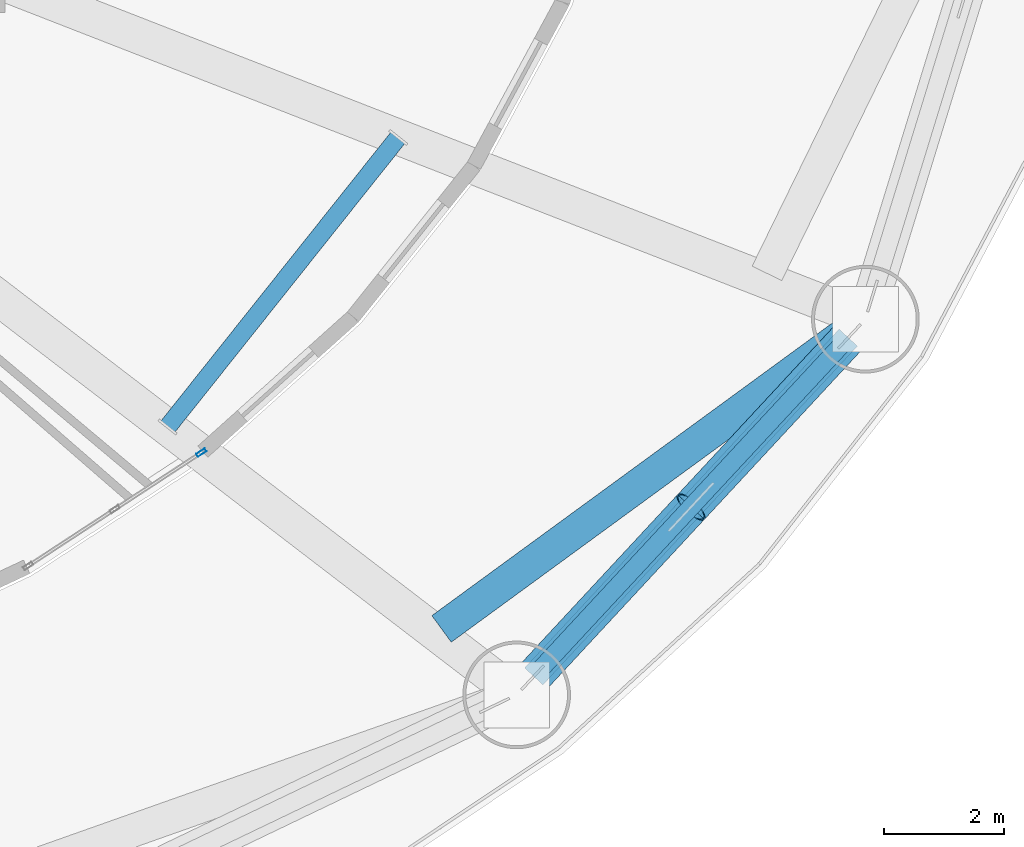
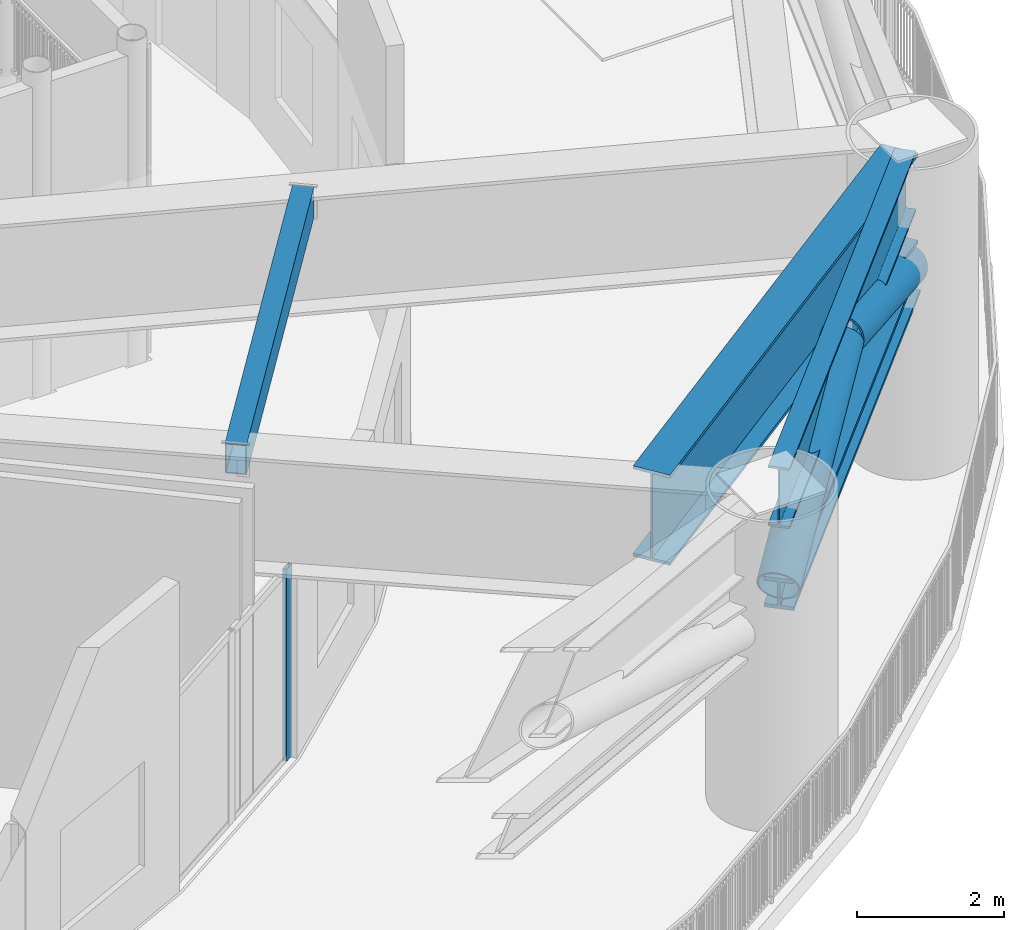
# One storey, part 8 of 39: 4 beams, 3 members, 1 element without a shape of its own.
"""IFC4 building model written with IfcOpenShell, lengths in metres."""

from ifc_helpers import new_model, si_unit, direction, frame, origin, origin_2d, place, context, subcontext, project, spatial, hollow_rectangle, hollow_circle, i_section, extrude, source, transform, mapped, material, layer, layer_set, material_profile, profile_set, type_object, element, aggregate, save


model = new_model("IFC4")

# Units and contexts
model_context = context("Model", 3, precision=1e-05, world=origin(), true_north=direction((0.0, 1.0)))
body_context = subcontext(model_context, "Body", "Model", "MODEL_VIEW")
ifc_project = project(units=[si_unit("LENGTHUNIT", "METRE"), si_unit("AREAUNIT", "SQUARE_METRE"), si_unit("VOLUMEUNIT", "CUBIC_METRE"), si_unit("PLANEANGLEUNIT", "RADIAN"), si_unit("MASSUNIT", "GRAM", prefix="KILO")], contexts=[model_context])

# Site, building, storey
site_placement = place(None, origin())
site = spatial("IfcSite", under=ifc_project, at=site_placement, CompositionType="ELEMENT")
building_placement = place(site_placement, origin())
building = spatial("IfcBuilding", under=site, at=building_placement, Name="Linh Dai School and Residence Tower", CompositionType="ELEMENT")
storey_placement = place(building_placement, frame((0.0, 0.0, 27.0)))
storey = spatial("IfcBuildingStorey", under=building, at=storey_placement, Name="L06", CompositionType="ELEMENT", Elevation=27.0)

# Beams
ifc_material_1 = material(Name="Structural Steel S355JR", Category="steel")
ifc_material_profile_1 = material_profile(ifc_material_1, i_section(OverallWidth=0.41796875, OverallDepth=0.506103515625, WebThickness=0.038818359375, FlangeThickness=0.05810546875, FilletRadius=0.014892578125, at=origin_2d()), Name="HD 400x551")
ifc_profile_set_1 = profile_set([ifc_material_profile_1], Name="Structural Steel S355JR")
beam_type_1 = type_object("IfcBeamType", Name="BM-BC1", PredefinedType="BEAM", material=ifc_profile_set_1)
beam_1_placement = place(storey_placement, frame((58.990966796875, 9.9072265625, 3.050048828125), z_axis=(0.680345653715, 0.73289139132, 0.0), x_axis=(-0.73289139132, 0.680345653715, 0.0)))
element("IfcBeam", 1, at=beam_1_placement, inside=storey, type_object=beam_type_1, Name="L06 Ring Belt Truss BT1 Bottom Chord 15", PredefinedType="BEAM", context=body_context, shape_type="SweptSolid", body=[
    extrude(i_section(OverallWidth=0.41796875, OverallDepth=0.506103515625, WebThickness=0.038818359375, FlangeThickness=0.05810546875, FilletRadius=0.014892578125, at=origin_2d()), origin(), (0.0, 0.0, 1.0), 7.726806640625),
])
ifc_material_profile_2 = material_profile(ifc_material_1, hollow_rectangle(XDim=0.300048828125, YDim=0.5, WallThickness=0.01611328125, at=origin_2d()), Name="RHS 500x300x16")
ifc_profile_set_2 = profile_set([ifc_material_profile_2], Name="Structural Steel S355JR")
beam_type_2 = type_object("IfcBeamType", Name="BM-BX5", PredefinedType="BEAM", material=ifc_profile_set_2)
beam_2_placement = place(storey_placement, frame((52.871337890625, 14.076416015625, 4.89990234375), z_axis=(0.622932148127, 0.782275871308, 0.0), x_axis=(-0.782275871308, 0.622932148127, 0.0)))
element("IfcBeam", 2, at=beam_2_placement, inside=storey, type_object=beam_type_2, Name="L06 Secondary Circumferential Floor Beam 08", PredefinedType="BEAM", context=body_context, shape_type="SweptSolid", body=[
    extrude(hollow_rectangle(XDim=0.300048828125, YDim=0.5, WallThickness=0.01611328125, at=origin_2d()), origin(), (0.0, 0.0, 1.0), 6.186767578125),
])
ifc_material_profile_3 = material_profile(ifc_material_1, i_section(OverallWidth=0.300048828125, OverallDepth=1.0, WebThickness=0.01904296875, FlangeThickness=0.035888671875, FilletRadius=0.030029296875, at=origin_2d()), Name="HEB 1000")
ifc_profile_set_3 = profile_set([ifc_material_profile_3], Name="Structural Steel S355JR")
beam_type_3 = type_object("IfcBeamType", Name="BM-RG10", PredefinedType="BEAM", material=ifc_profile_set_3)
beam_3_placement = place(storey_placement, frame((58.990966796875, 9.9072265625, 4.64990234375), z_axis=(0.680345653715, 0.73289139132, 0.0), x_axis=(-0.73289139132, 0.680345653715, 0.0)))
element("IfcBeam", 3, at=beam_3_placement, inside=storey, type_object=beam_type_3, Name="L06 Perimeter Elliptical Ring Beam 15", PredefinedType="BEAM", context=body_context, shape_type="SweptSolid", body=[
    extrude(i_section(OverallWidth=0.300048828125, OverallDepth=1.0, WebThickness=0.01904296875, FlangeThickness=0.035888671875, FilletRadius=0.030029296875, at=origin_2d()), origin(), (0.0, 0.0, 1.0), 7.726806640625),
])
ifc_material_profile_4 = material_profile(ifc_material_1, i_section(OverallWidth=0.550048828125, OverallDepth=1.5, WebThickness=0.028076171875, FlangeThickness=0.050048828125, at=origin_2d()), Name="PG 1500x550x28x50")
ifc_profile_set_4 = profile_set([ifc_material_profile_4], Name="Structural Steel S355JR")
beam_type_4 = type_object("IfcBeamType", Name="BM-TG15", PredefinedType="BEAM", material=ifc_profile_set_4)
beam_4_placement = place(storey_placement, frame((57.44970703125, 10.70166015625, 4.39990234375), z_axis=(0.807418430654, 0.589979218142, 0.0), x_axis=(-0.589979218142, 0.807418430654, 0.0)))
element("IfcBeam", 4, at=beam_4_placement, inside=storey, type_object=beam_type_4, Name="L06 Setback Diaphragm Transfer Girder 15", PredefinedType="BEAM", context=body_context, shape_type="SweptSolid", body=[
    extrude(i_section(OverallWidth=0.550048828125, OverallDepth=1.5, WebThickness=0.028076171875, FlangeThickness=0.050048828125, at=origin_2d()), origin(), (0.0, 0.0, 1.0), 8.353515625),
])

# Members
ifc_material_profile_5 = material_profile(ifc_material_1, hollow_circle(Radius=0.304931640625, WallThickness=0.02490234375, at=origin_2d()), Name="CHS 610x25")
ifc_profile_set_5 = profile_set([ifc_material_profile_5], Name="Structural Steel S355JR")
member_type_1 = type_object("IfcMemberType", Name="MBR-BT1", PredefinedType="BRACE", material=ifc_profile_set_5)
member_1_placement = place(storey_placement, frame((58.972900390625, 9.8876953125, 3.197021484375), z_axis=(0.637321110526, 0.686590030325, 0.349879882725), x_axis=(-0.73291418611, 0.68032109757, 0.0)))
element("IfcMember", 5, at=member_1_placement, inside=storey, type_object=member_type_1, Name="L06 Ring Belt Truss BT1 Diagonal 15A", PredefinedType="BRACE", context=body_context, shape_type="SweptSolid", body=[
    extrude(hollow_circle(Radius=0.304931640625, WallThickness=0.02490234375, at=origin_2d()), origin(), (0.0, 0.0, 1.0), 4.152587890625),
])
member_2_placement = place(storey_placement, frame((64.265869140625, 15.589599609375, 3.197021484375), z_axis=(-0.637346837726, -0.686558950565, 0.349894006578), x_axis=(0.732885136353, -0.680352391716, 0.0)))
element("IfcMember", 6, at=member_2_placement, inside=storey, type_object=member_type_1, Name="L06 Ring Belt Truss BT1 Diagonal 15B", PredefinedType="BRACE", context=body_context, shape_type="SweptSolid", body=[
    extrude(hollow_circle(Radius=0.304931640625, WallThickness=0.02490234375, at=origin_2d()), origin(), (0.0, 0.0, 1.0), 4.15234375),
])

# Curtain wall, member
ifc_material_2 = material(Name="Aluminium Anodised Curtain Wall", Category="aluminium")
ifc_layer = layer(ifc_material_2, 0.169921875)
ifc_layer_set = layer_set([ifc_layer], Name="Aluminium Anodised Curtain Wall")
curtain_wall_type = type_object("IfcCurtainWallType", Name="CW-SYS-2", PredefinedType="USERDEFINED", material=ifc_layer_set)
curtain_wall_placement = place(storey_placement, origin())
curtain_wall = element("IfcCurtainWall", 7, at=curtain_wall_placement, inside=storey, type_object=curtain_wall_type, Name="L06 CW2 Curtain Wall 35", ObjectType="UNITISED CURTAIN WALL", PredefinedType="USERDEFINED")
ifc_material_3 = material(Name="Aluminium Alloy 6063-T6", Category="aluminium")
ifc_material_profile_6 = material_profile(ifc_material_3, hollow_rectangle(XDim=0.06005859375, YDim=0.169921875, WallThickness=0.00390625, at=origin_2d()), Name="RHS 170x60x4")
ifc_profile_set_6 = profile_set([ifc_material_profile_6], Name="Aluminium Alloy 6063-T6")
member_type_2 = type_object("IfcMemberType", Name="CW-SYS-2-MUL", PredefinedType="MULLION", material=ifc_profile_set_6)
shared_shape = source(origin(), body_context, "Body", "SweptSolid", [
    extrude(hollow_rectangle(XDim=0.06005859375, YDim=0.169921875, WallThickness=0.00390625, at=origin_2d()), origin(), (0.0, 0.0, 1.0), 3.18505859375),
])
member_3_placement = place(storey_placement, frame((53.43505859375, 13.647705078125, 0.0), z_axis=(0.0, 0.0, 1.0), x_axis=(0.547530007395, -0.836786048523, 0.0)))
member_3 = element("IfcMember", 8, at=member_3_placement, type_object=member_type_2, Name="CW2 mullion 1", PredefinedType="MULLION", context=body_context, shape_type="MappedRepresentation", body=[
    mapped(shared_shape, transform((0.0, 0.0, 0.0), x_axis=(1.0, 0.0, 0.0), y_axis=(0.0, 1.0, 0.0), z_axis=(0.0, 0.0, 1.0), scale=1.0)),
])
aggregate(curtain_wall, [member_3])

save(model, "model.ifc")
